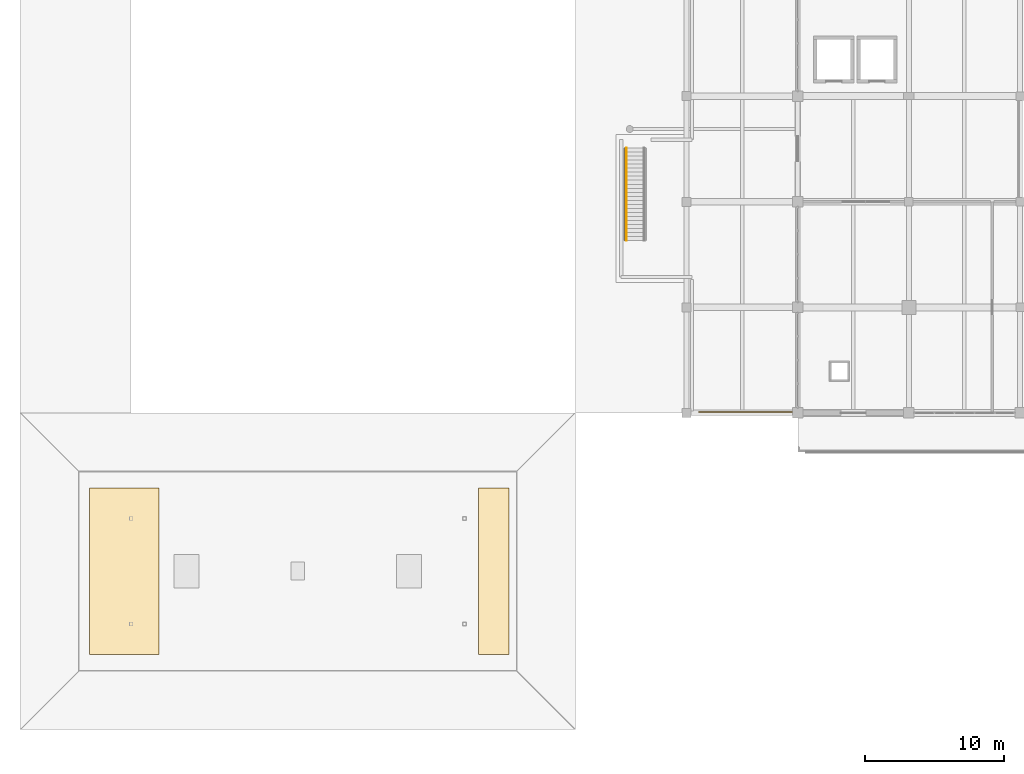
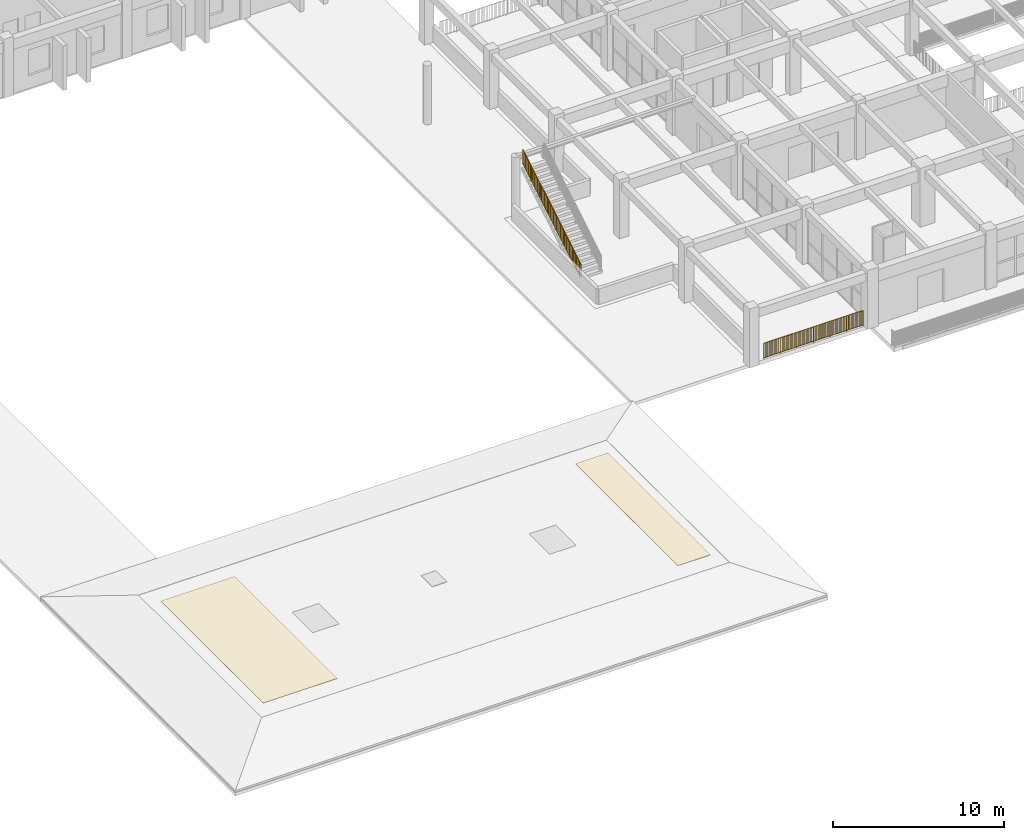
# One storey, part 50 of 63: 3 railings, 2 coverings.
"""IFC4 building model written with IfcOpenShell, lengths in metres."""

from ifc_helpers import new_model, si_unit, direction, frame, origin, origin_2d, place, context, subcontext, project, spatial, polyline, rectangle, circle, outline, extrude, material, layer, layer_set, type_object, element, save


model = new_model("IFC4")

# Units and contexts
model_context = context("Model", 3, precision=1e-05, world=origin(), true_north=direction((0.0, 1.0)))
body_context = subcontext(model_context, "Body", "Model", "MODEL_VIEW")
ifc_project = project(units=[si_unit("LENGTHUNIT", "METRE"), si_unit("AREAUNIT", "SQUARE_METRE"), si_unit("VOLUMEUNIT", "CUBIC_METRE"), si_unit("PLANEANGLEUNIT", "RADIAN"), si_unit("MASSUNIT", "GRAM", prefix="KILO")], contexts=[model_context])

# Site, building, storey
site_placement = place(None, origin())
site = spatial("IfcSite", under=ifc_project, at=site_placement, CompositionType="ELEMENT")
building_placement = place(site_placement, origin())
building = spatial("IfcBuilding", under=site, at=building_placement, Name="Zantavel Square City Hall", CompositionType="ELEMENT")
storey_placement = place(building_placement, frame((0.0, 0.0, 14.699951171875)))
storey = spatial("IfcBuildingStorey", under=building, at=storey_placement, Name="L04", CompositionType="ELEMENT", Elevation=14.699951171875)

# Railings
ifc_material_1 = material(Name="Steel ASTM A500 Grade B", Category="steel")
railing_type_1 = type_object("IfcRailingType", Name="Classical Stone & Steel Terrace Balustrade 1100mm", PredefinedType="BALUSTRADE", material=ifc_material_1)
railing_1_placement = place(storey_placement, frame((51.580078125, 42.800048828125, 0.175048828125)))
element("IfcRailing", 1, at=railing_1_placement, inside=storey, type_object=railing_type_1, Name="Outdoor Stair ST-TR5 Balustered Guard L", PredefinedType="BALUSTRADE", context=body_context, shape_type="SweptSolid", body=[
    extrude(circle(Radius=0.02392578125, at=origin_2d()), frame((0.0, 0.0, 1.076171875), z_axis=(0.0, 0.856190529329, 0.516660214733), x_axis=(-1.0, 0.0, 0.0)), (0.0, 0.0, 1.0), 7.790283203125),
    extrude(rectangle(XDim=0.031982421875, YDim=0.031982421875, at=origin_2d()), frame((0.0, 0.0, 0.080078125), z_axis=(0.0, 0.856190529329, 0.516660214733), x_axis=(-1.0, 0.0, 0.0)), (0.0, 0.0, 1.0), 7.790283203125),
    extrude(rectangle(XDim=0.02197265625, YDim=0.02197265625, at=origin_2d()), frame((0.0, 0.0888671875, 0.133544921875)), (0.0, 0.0, 1.0), 0.971923828125),
    extrude(rectangle(XDim=0.02197265625, YDim=0.02197265625, at=origin_2d()), frame((0.0, 0.177978515625, 0.187255859375)), (0.0, 0.0, 1.0), 0.971923828125),
    extrude(rectangle(XDim=0.02197265625, YDim=0.02197265625, at=origin_2d()), frame((0.0, 0.266845703125, 0.240966796875)), (0.0, 0.0, 1.0), 0.971923828125),
    extrude(rectangle(XDim=0.02197265625, YDim=0.02197265625, at=origin_2d()), frame((0.0, 0.355712890625, 0.294677734375)), (0.0, 0.0, 1.0), 0.971923828125),
    extrude(rectangle(XDim=0.02197265625, YDim=0.02197265625, at=origin_2d()), frame((0.0, 0.444580078125, 0.348388671875)), (0.0, 0.0, 1.0), 0.971923828125),
    extrude(rectangle(XDim=0.02197265625, YDim=0.02197265625, at=origin_2d()), frame((0.0, 0.53369140625, 0.402099609375)), (0.0, 0.0, 1.0), 0.971923828125),
    extrude(rectangle(XDim=0.02197265625, YDim=0.02197265625, at=origin_2d()), frame((0.0, 0.62255859375, 0.45556640625)), (0.0, 0.0, 1.0), 0.971923828125),
    extrude(rectangle(XDim=0.02197265625, YDim=0.02197265625, at=origin_2d()), frame((0.0, 0.71142578125, 0.50927734375)), (0.0, 0.0, 1.0), 0.971923828125),
    extrude(rectangle(XDim=0.02197265625, YDim=0.02197265625, at=origin_2d()), frame((0.0, 0.80029296875, 0.56298828125)), (0.0, 0.0, 1.0), 0.971923828125),
    extrude(rectangle(XDim=0.02197265625, YDim=0.02197265625, at=origin_2d()), frame((0.0, 0.889404296875, 0.61669921875)), (0.0, 0.0, 1.0), 0.971923828125),
    extrude(rectangle(XDim=0.02197265625, YDim=0.02197265625, at=origin_2d()), frame((0.0, 1.067138671875, 0.723876953125)), (0.0, 0.0, 1.0), 0.971923828125),
    extrude(rectangle(XDim=0.02197265625, YDim=0.02197265625, at=origin_2d()), frame((0.0, 1.156005859375, 0.777587890625)), (0.0, 0.0, 1.0), 0.971923828125),
    extrude(rectangle(XDim=0.02197265625, YDim=0.02197265625, at=origin_2d()), frame((0.0, 1.2451171875, 0.831298828125)), (0.0, 0.0, 1.0), 0.971923828125),
    extrude(rectangle(XDim=0.02197265625, YDim=0.02197265625, at=origin_2d()), frame((0.0, 1.333984375, 0.885009765625)), (0.0, 0.0, 1.0), 0.971923828125),
    extrude(rectangle(XDim=0.02197265625, YDim=0.02197265625, at=origin_2d()), frame((0.0, 1.4228515625, 0.938720703125)), (0.0, 0.0, 1.0), 0.971923828125),
    extrude(rectangle(XDim=0.02197265625, YDim=0.02197265625, at=origin_2d()), frame((0.0, 1.511962890625, 0.992431640625)), (0.0, 0.0, 1.0), 0.971923828125),
    extrude(rectangle(XDim=0.02197265625, YDim=0.02197265625, at=origin_2d()), frame((0.0, 1.600830078125, 1.0458984375)), (0.0, 0.0, 1.0), 0.971923828125),
    extrude(rectangle(XDim=0.02197265625, YDim=0.02197265625, at=origin_2d()), frame((0.0, 1.689697265625, 1.099609375)), (0.0, 0.0, 1.0), 0.971923828125),
    extrude(rectangle(XDim=0.02197265625, YDim=0.02197265625, at=origin_2d()), frame((0.0, 1.778564453125, 1.1533203125)), (0.0, 0.0, 1.0), 0.971923828125),
    extrude(rectangle(XDim=0.02197265625, YDim=0.02197265625, at=origin_2d()), frame((0.0, 1.95654296875, 1.2607421875)), (0.0, 0.0, 1.0), 0.971923828125),
    extrude(rectangle(XDim=0.02197265625, YDim=0.02197265625, at=origin_2d()), frame((0.0, 2.04541015625, 1.314208984375)), (0.0, 0.0, 1.0), 0.971923828125),
    extrude(rectangle(XDim=0.02197265625, YDim=0.02197265625, at=origin_2d()), frame((0.0, 2.13427734375, 1.367919921875)), (0.0, 0.0, 1.0), 0.971923828125),
    extrude(rectangle(XDim=0.02197265625, YDim=0.02197265625, at=origin_2d()), frame((0.0, 2.223388671875, 1.421630859375)), (0.0, 0.0, 1.0), 0.971923828125),
    extrude(rectangle(XDim=0.02197265625, YDim=0.02197265625, at=origin_2d()), frame((0.0, 2.312255859375, 1.475341796875)), (0.0, 0.0, 1.0), 0.971923828125),
    extrude(rectangle(XDim=0.02197265625, YDim=0.02197265625, at=origin_2d()), frame((0.0, 2.401123046875, 1.529052734375)), (0.0, 0.0, 1.0), 0.971923828125),
    extrude(rectangle(XDim=0.02197265625, YDim=0.02197265625, at=origin_2d()), frame((0.0, 2.489990234375, 1.58251953125)), (0.0, 0.0, 1.0), 0.971923828125),
    extrude(rectangle(XDim=0.02197265625, YDim=0.02197265625, at=origin_2d()), frame((0.0, 2.5791015625, 1.63623046875)), (0.0, 0.0, 1.0), 0.971923828125),
    extrude(rectangle(XDim=0.02197265625, YDim=0.02197265625, at=origin_2d()), frame((0.0, 2.66796875, 1.68994140625)), (0.0, 0.0, 1.0), 0.971923828125),
    extrude(rectangle(XDim=0.02197265625, YDim=0.02197265625, at=origin_2d()), frame((0.0, 2.7568359375, 1.74365234375)), (0.0, 0.0, 1.0), 0.971923828125),
    extrude(rectangle(XDim=0.02197265625, YDim=0.02197265625, at=origin_2d()), frame((0.0, 2.934814453125, 1.85107421875)), (0.0, 0.0, 1.0), 0.971923828125),
    extrude(rectangle(XDim=0.02197265625, YDim=0.02197265625, at=origin_2d()), frame((0.0, 3.023681640625, 1.904541015625)), (0.0, 0.0, 1.0), 0.971923828125),
    extrude(rectangle(XDim=0.02197265625, YDim=0.02197265625, at=origin_2d()), frame((0.0, 3.112548828125, 1.958251953125)), (0.0, 0.0, 1.0), 0.971923828125),
    extrude(rectangle(XDim=0.02197265625, YDim=0.02197265625, at=origin_2d()), frame((0.0, 3.20166015625, 2.011962890625)), (0.0, 0.0, 1.0), 0.971923828125),
    extrude(rectangle(XDim=0.02197265625, YDim=0.02197265625, at=origin_2d()), frame((0.0, 3.29052734375, 2.065673828125)), (0.0, 0.0, 1.0), 0.971923828125),
    extrude(rectangle(XDim=0.02197265625, YDim=0.02197265625, at=origin_2d()), frame((0.0, 3.37939453125, 2.119384765625)), (0.0, 0.0, 1.0), 0.971923828125),
    extrude(rectangle(XDim=0.02197265625, YDim=0.02197265625, at=origin_2d()), frame((0.0, 3.46826171875, 2.1728515625)), (0.0, 0.0, 1.0), 0.971923828125),
    extrude(rectangle(XDim=0.02197265625, YDim=0.02197265625, at=origin_2d()), frame((0.0, 3.557373046875, 2.2265625)), (0.0, 0.0, 1.0), 0.971923828125),
    extrude(rectangle(XDim=0.02197265625, YDim=0.02197265625, at=origin_2d()), frame((0.0, 3.646240234375, 2.2802734375)), (0.0, 0.0, 1.0), 0.971923828125),
    extrude(rectangle(XDim=0.02197265625, YDim=0.02197265625, at=origin_2d()), frame((0.0, 3.735107421875, 2.333984375)), (0.0, 0.0, 1.0), 0.971923828125),
    extrude(rectangle(XDim=0.02197265625, YDim=0.02197265625, at=origin_2d()), frame((0.0, 3.9130859375, 2.441162109375)), (0.0, 0.0, 1.0), 0.971923828125),
    extrude(rectangle(XDim=0.02197265625, YDim=0.02197265625, at=origin_2d()), frame((0.0, 4.001953125, 2.494873046875)), (0.0, 0.0, 1.0), 0.971923828125),
    extrude(rectangle(XDim=0.02197265625, YDim=0.02197265625, at=origin_2d()), frame((0.0, 4.0908203125, 2.548583984375)), (0.0, 0.0, 1.0), 0.971923828125),
    extrude(rectangle(XDim=0.02197265625, YDim=0.02197265625, at=origin_2d()), frame((0.0, 4.179931640625, 2.602294921875)), (0.0, 0.0, 1.0), 0.971923828125),
    extrude(rectangle(XDim=0.02197265625, YDim=0.02197265625, at=origin_2d()), frame((0.0, 4.268798828125, 2.656005859375)), (0.0, 0.0, 1.0), 0.971923828125),
    extrude(rectangle(XDim=0.02197265625, YDim=0.02197265625, at=origin_2d()), frame((0.0, 4.357666015625, 2.709716796875)), (0.0, 0.0, 1.0), 0.971923828125),
    extrude(rectangle(XDim=0.02197265625, YDim=0.02197265625, at=origin_2d()), frame((0.0, 4.446533203125, 2.76318359375)), (0.0, 0.0, 1.0), 0.971923828125),
    extrude(rectangle(XDim=0.02197265625, YDim=0.02197265625, at=origin_2d()), frame((0.0, 4.53564453125, 2.81689453125)), (0.0, 0.0, 1.0), 0.971923828125),
    extrude(rectangle(XDim=0.02197265625, YDim=0.02197265625, at=origin_2d()), frame((0.0, 4.62451171875, 2.87060546875)), (0.0, 0.0, 1.0), 0.971923828125),
    extrude(rectangle(XDim=0.02197265625, YDim=0.02197265625, at=origin_2d()), frame((0.0, 4.71337890625, 2.92431640625)), (0.0, 0.0, 1.0), 0.971923828125),
    extrude(rectangle(XDim=0.02197265625, YDim=0.02197265625, at=origin_2d()), frame((0.0, 4.891357421875, 3.031494140625)), (0.0, 0.0, 1.0), 0.971923828125),
    extrude(rectangle(XDim=0.02197265625, YDim=0.02197265625, at=origin_2d()), frame((0.0, 4.980224609375, 3.085205078125)), (0.0, 0.0, 1.0), 0.971923828125),
    extrude(rectangle(XDim=0.02197265625, YDim=0.02197265625, at=origin_2d()), frame((0.0, 5.069091796875, 3.138916015625)), (0.0, 0.0, 1.0), 0.971923828125),
    extrude(rectangle(XDim=0.02197265625, YDim=0.02197265625, at=origin_2d()), frame((0.0, 5.157958984375, 3.192626953125)), (0.0, 0.0, 1.0), 0.971923828125),
    extrude(rectangle(XDim=0.02197265625, YDim=0.02197265625, at=origin_2d()), frame((0.0, 5.2470703125, 3.246337890625)), (0.0, 0.0, 1.0), 0.971923828125),
    extrude(rectangle(XDim=0.02197265625, YDim=0.02197265625, at=origin_2d()), frame((0.0, 5.3359375, 3.2998046875)), (0.0, 0.0, 1.0), 0.971923828125),
    extrude(rectangle(XDim=0.02197265625, YDim=0.02197265625, at=origin_2d()), frame((0.0, 5.4248046875, 3.353515625)), (0.0, 0.0, 1.0), 0.971923828125),
    extrude(rectangle(XDim=0.02197265625, YDim=0.02197265625, at=origin_2d()), frame((0.0, 5.513916015625, 3.4072265625)), (0.0, 0.0, 1.0), 0.971923828125),
    extrude(rectangle(XDim=0.02197265625, YDim=0.02197265625, at=origin_2d()), frame((0.0, 5.602783203125, 3.4609375)), (0.0, 0.0, 1.0), 0.971923828125),
    extrude(rectangle(XDim=0.02197265625, YDim=0.02197265625, at=origin_2d()), frame((0.0, 5.780517578125, 3.568359375)), (0.0, 0.0, 1.0), 0.971923828125),
    extrude(rectangle(XDim=0.02197265625, YDim=0.02197265625, at=origin_2d()), frame((0.0, 5.86962890625, 3.621826171875)), (0.0, 0.0, 1.0), 0.971923828125),
    extrude(rectangle(XDim=0.02197265625, YDim=0.02197265625, at=origin_2d()), frame((0.0, 5.95849609375, 3.675537109375)), (0.0, 0.0, 1.0), 0.971923828125),
    extrude(rectangle(XDim=0.02197265625, YDim=0.02197265625, at=origin_2d()), frame((0.0, 6.04736328125, 3.729248046875)), (0.0, 0.0, 1.0), 0.971923828125),
    extrude(rectangle(XDim=0.02197265625, YDim=0.02197265625, at=origin_2d()), frame((0.0, 6.13623046875, 3.782958984375)), (0.0, 0.0, 1.0), 0.971923828125),
    extrude(rectangle(XDim=0.02197265625, YDim=0.02197265625, at=origin_2d()), frame((0.0, 6.225341796875, 3.836669921875)), (0.0, 0.0, 1.0), 0.971923828125),
    extrude(rectangle(XDim=0.02197265625, YDim=0.02197265625, at=origin_2d()), frame((0.0, 6.314208984375, 3.89013671875)), (0.0, 0.0, 1.0), 0.971923828125),
    extrude(rectangle(XDim=0.02197265625, YDim=0.02197265625, at=origin_2d()), frame((0.0, 6.403076171875, 3.94384765625)), (0.0, 0.0, 1.0), 0.971923828125),
    extrude(rectangle(XDim=0.02197265625, YDim=0.02197265625, at=origin_2d()), frame((0.0, 6.491943359375, 3.99755859375)), (0.0, 0.0, 1.0), 0.971923828125),
    extrude(rectangle(XDim=0.02197265625, YDim=0.02197265625, at=origin_2d()), frame((0.0, 6.5810546875, 4.05126953125)), (0.0, 0.0, 1.0), 0.971923828125),
    extrude(circle(Radius=0.02099609375, at=origin_2d()), origin(), (0.0, 0.0, 1.0), 1.052001953125),
    extrude(circle(Radius=0.02099609375, at=origin_2d()), frame((0.0, 0.952880859375, 0.574951171875)), (0.0, 0.0, 1.0), 1.052001953125),
    extrude(circle(Radius=0.02099609375, at=origin_2d()), frame((0.0, 1.90576171875, 1.14990234375)), (0.0, 0.0, 1.0), 1.052001953125),
    extrude(circle(Radius=0.02099609375, at=origin_2d()), frame((0.0, 2.858642578125, 1.724853515625)), (0.0, 0.0, 1.0), 1.052001953125),
    extrude(circle(Radius=0.02099609375, at=origin_2d()), frame((0.0, 3.811279296875, 2.300048828125)), (0.0, 0.0, 1.0), 1.052001953125),
    extrude(circle(Radius=0.02099609375, at=origin_2d()), frame((0.0, 4.76416015625, 2.875)), (0.0, 0.0, 1.0), 1.052001953125),
    extrude(circle(Radius=0.02099609375, at=origin_2d()), frame((0.0, 5.717041015625, 3.449951171875)), (0.0, 0.0, 1.0), 1.052001953125),
    extrude(circle(Radius=0.02099609375, at=origin_2d()), frame((0.0, 6.669921875, 4.02490234375)), (0.0, 0.0, 1.0), 1.052001953125),
])
railing_2_placement = place(storey_placement, frame((63.5849609375, 30.469970703125, 0.0)))
element("IfcRailing", 2, at=railing_2_placement, inside=storey, type_object=railing_type_1, Name="L04 Terrace Balustrade 031", PredefinedType="BALUSTRADE", context=body_context, shape_type="SweptSolid", body=[
    extrude(circle(Radius=0.02392578125, at=origin_2d()), frame((0.0, 0.0, 1.09619140625), z_axis=(-1.0, 0.0, 0.0), x_axis=(0.0, -1.0, 0.0)), (0.0, 0.0, 1.0), 6.70751953125),
    extrude(rectangle(XDim=0.031982421875, YDim=0.031982421875, at=origin_2d()), frame((0.0, 0.0, 0.080078125), z_axis=(-1.0, 0.0, 0.0), x_axis=(0.0, -1.0, 0.0)), (0.0, 0.0, 1.0), 6.70751953125),
    extrude(rectangle(XDim=0.02197265625, YDim=0.02197265625, at=origin_2d()), frame((-0.08935546875, 0.0, 0.080078125)), (0.0, 0.0, 1.0), 0.991943359375),
    extrude(rectangle(XDim=0.02197265625, YDim=0.02197265625, at=origin_2d()), frame((-0.178955078125, 0.0, 0.080078125)), (0.0, 0.0, 1.0), 0.991943359375),
    extrude(rectangle(XDim=0.02197265625, YDim=0.02197265625, at=origin_2d()), frame((-0.268310546875, 0.0, 0.080078125)), (0.0, 0.0, 1.0), 0.991943359375),
    extrude(rectangle(XDim=0.02197265625, YDim=0.02197265625, at=origin_2d()), frame((-0.357666015625, 0.0, 0.080078125)), (0.0, 0.0, 1.0), 0.991943359375),
    extrude(rectangle(XDim=0.02197265625, YDim=0.02197265625, at=origin_2d()), frame((-0.447265625, 0.0, 0.080078125)), (0.0, 0.0, 1.0), 0.991943359375),
    extrude(rectangle(XDim=0.02197265625, YDim=0.02197265625, at=origin_2d()), frame((-0.53662109375, 0.0, 0.080078125)), (0.0, 0.0, 1.0), 0.991943359375),
    extrude(rectangle(XDim=0.02197265625, YDim=0.02197265625, at=origin_2d()), frame((-0.6259765625, 0.0, 0.080078125)), (0.0, 0.0, 1.0), 0.991943359375),
    extrude(rectangle(XDim=0.02197265625, YDim=0.02197265625, at=origin_2d()), frame((-0.715576171875, 0.0, 0.080078125)), (0.0, 0.0, 1.0), 0.991943359375),
    extrude(rectangle(XDim=0.02197265625, YDim=0.02197265625, at=origin_2d()), frame((-0.804931640625, 0.0, 0.080078125)), (0.0, 0.0, 1.0), 0.991943359375),
    extrude(rectangle(XDim=0.02197265625, YDim=0.02197265625, at=origin_2d()), frame((-0.894287109375, 0.0, 0.080078125)), (0.0, 0.0, 1.0), 0.991943359375),
    extrude(rectangle(XDim=0.02197265625, YDim=0.02197265625, at=origin_2d()), frame((-0.98388671875, 0.0, 0.080078125)), (0.0, 0.0, 1.0), 0.991943359375),
    extrude(rectangle(XDim=0.02197265625, YDim=0.02197265625, at=origin_2d()), frame((-1.251953125, 0.0, 0.080078125)), (0.0, 0.0, 1.0), 0.991943359375),
    extrude(rectangle(XDim=0.02197265625, YDim=0.02197265625, at=origin_2d()), frame((-1.341552734375, 0.0, 0.080078125)), (0.0, 0.0, 1.0), 0.991943359375),
    extrude(rectangle(XDim=0.02197265625, YDim=0.02197265625, at=origin_2d()), frame((-1.430908203125, 0.0, 0.080078125)), (0.0, 0.0, 1.0), 0.991943359375),
    extrude(rectangle(XDim=0.02197265625, YDim=0.02197265625, at=origin_2d()), frame((-1.520263671875, 0.0, 0.080078125)), (0.0, 0.0, 1.0), 0.991943359375),
    extrude(rectangle(XDim=0.02197265625, YDim=0.02197265625, at=origin_2d()), frame((-1.60986328125, 0.0, 0.080078125)), (0.0, 0.0, 1.0), 0.991943359375),
    extrude(rectangle(XDim=0.02197265625, YDim=0.02197265625, at=origin_2d()), frame((-1.69921875, 0.0, 0.080078125)), (0.0, 0.0, 1.0), 0.991943359375),
    extrude(rectangle(XDim=0.02197265625, YDim=0.02197265625, at=origin_2d()), frame((-1.78857421875, 0.0, 0.080078125)), (0.0, 0.0, 1.0), 0.991943359375),
    extrude(rectangle(XDim=0.02197265625, YDim=0.02197265625, at=origin_2d()), frame((-1.878173828125, 0.0, 0.080078125)), (0.0, 0.0, 1.0), 0.991943359375),
    extrude(rectangle(XDim=0.02197265625, YDim=0.02197265625, at=origin_2d()), frame((-1.967529296875, 0.0, 0.080078125)), (0.0, 0.0, 1.0), 0.991943359375),
    extrude(rectangle(XDim=0.02197265625, YDim=0.02197265625, at=origin_2d()), frame((-2.056884765625, 0.0, 0.080078125)), (0.0, 0.0, 1.0), 0.991943359375),
    extrude(rectangle(XDim=0.02197265625, YDim=0.02197265625, at=origin_2d()), frame((-2.146484375, 0.0, 0.080078125)), (0.0, 0.0, 1.0), 0.991943359375),
    extrude(rectangle(XDim=0.02197265625, YDim=0.02197265625, at=origin_2d()), frame((-2.3251953125, 0.0, 0.080078125)), (0.0, 0.0, 1.0), 0.991943359375),
    extrude(rectangle(XDim=0.02197265625, YDim=0.02197265625, at=origin_2d()), frame((-2.414794921875, 0.0, 0.080078125)), (0.0, 0.0, 1.0), 0.991943359375),
    extrude(rectangle(XDim=0.02197265625, YDim=0.02197265625, at=origin_2d()), frame((-2.504150390625, 0.0, 0.080078125)), (0.0, 0.0, 1.0), 0.991943359375),
    extrude(rectangle(XDim=0.02197265625, YDim=0.02197265625, at=origin_2d()), frame((-2.593505859375, 0.0, 0.080078125)), (0.0, 0.0, 1.0), 0.991943359375),
    extrude(rectangle(XDim=0.02197265625, YDim=0.02197265625, at=origin_2d()), frame((-2.68310546875, 0.0, 0.080078125)), (0.0, 0.0, 1.0), 0.991943359375),
    extrude(rectangle(XDim=0.02197265625, YDim=0.02197265625, at=origin_2d()), frame((-2.7724609375, 0.0, 0.080078125)), (0.0, 0.0, 1.0), 0.991943359375),
    extrude(rectangle(XDim=0.02197265625, YDim=0.02197265625, at=origin_2d()), frame((-2.86181640625, 0.0, 0.080078125)), (0.0, 0.0, 1.0), 0.991943359375),
    extrude(rectangle(XDim=0.02197265625, YDim=0.02197265625, at=origin_2d()), frame((-2.951416015625, 0.0, 0.080078125)), (0.0, 0.0, 1.0), 0.991943359375),
    extrude(rectangle(XDim=0.02197265625, YDim=0.02197265625, at=origin_2d()), frame((-3.040771484375, 0.0, 0.080078125)), (0.0, 0.0, 1.0), 0.991943359375),
    extrude(rectangle(XDim=0.02197265625, YDim=0.02197265625, at=origin_2d()), frame((-3.130126953125, 0.0, 0.080078125)), (0.0, 0.0, 1.0), 0.991943359375),
    extrude(rectangle(XDim=0.02197265625, YDim=0.02197265625, at=origin_2d()), frame((-3.2197265625, 0.0, 0.080078125)), (0.0, 0.0, 1.0), 0.991943359375),
    extrude(rectangle(XDim=0.02197265625, YDim=0.02197265625, at=origin_2d()), frame((-3.48779296875, 0.0, 0.080078125)), (0.0, 0.0, 1.0), 0.991943359375),
    extrude(rectangle(XDim=0.02197265625, YDim=0.02197265625, at=origin_2d()), frame((-3.577392578125, 0.0, 0.080078125)), (0.0, 0.0, 1.0), 0.991943359375),
    extrude(rectangle(XDim=0.02197265625, YDim=0.02197265625, at=origin_2d()), frame((-3.666748046875, 0.0, 0.080078125)), (0.0, 0.0, 1.0), 0.991943359375),
    extrude(rectangle(XDim=0.02197265625, YDim=0.02197265625, at=origin_2d()), frame((-3.756103515625, 0.0, 0.080078125)), (0.0, 0.0, 1.0), 0.991943359375),
    extrude(rectangle(XDim=0.02197265625, YDim=0.02197265625, at=origin_2d()), frame((-3.845703125, 0.0, 0.080078125)), (0.0, 0.0, 1.0), 0.991943359375),
    extrude(rectangle(XDim=0.02197265625, YDim=0.02197265625, at=origin_2d()), frame((-3.93505859375, 0.0, 0.080078125)), (0.0, 0.0, 1.0), 0.991943359375),
    extrude(rectangle(XDim=0.02197265625, YDim=0.02197265625, at=origin_2d()), frame((-4.0244140625, 0.0, 0.080078125)), (0.0, 0.0, 1.0), 0.991943359375),
    extrude(rectangle(XDim=0.02197265625, YDim=0.02197265625, at=origin_2d()), frame((-4.114013671875, 0.0, 0.080078125)), (0.0, 0.0, 1.0), 0.991943359375),
    extrude(rectangle(XDim=0.02197265625, YDim=0.02197265625, at=origin_2d()), frame((-4.203369140625, 0.0, 0.080078125)), (0.0, 0.0, 1.0), 0.991943359375),
    extrude(rectangle(XDim=0.02197265625, YDim=0.02197265625, at=origin_2d()), frame((-4.292724609375, 0.0, 0.080078125)), (0.0, 0.0, 1.0), 0.991943359375),
    extrude(rectangle(XDim=0.02197265625, YDim=0.02197265625, at=origin_2d()), frame((-4.38232421875, 0.0, 0.080078125)), (0.0, 0.0, 1.0), 0.991943359375),
    extrude(rectangle(XDim=0.02197265625, YDim=0.02197265625, at=origin_2d()), frame((-4.56103515625, 0.0, 0.080078125)), (0.0, 0.0, 1.0), 0.991943359375),
    extrude(rectangle(XDim=0.02197265625, YDim=0.02197265625, at=origin_2d()), frame((-4.650634765625, 0.0, 0.080078125)), (0.0, 0.0, 1.0), 0.991943359375),
    extrude(rectangle(XDim=0.02197265625, YDim=0.02197265625, at=origin_2d()), frame((-4.739990234375, 0.0, 0.080078125)), (0.0, 0.0, 1.0), 0.991943359375),
    extrude(rectangle(XDim=0.02197265625, YDim=0.02197265625, at=origin_2d()), frame((-4.829345703125, 0.0, 0.080078125)), (0.0, 0.0, 1.0), 0.991943359375),
    extrude(rectangle(XDim=0.02197265625, YDim=0.02197265625, at=origin_2d()), frame((-4.9189453125, 0.0, 0.080078125)), (0.0, 0.0, 1.0), 0.991943359375),
    extrude(rectangle(XDim=0.02197265625, YDim=0.02197265625, at=origin_2d()), frame((-5.00830078125, 0.0, 0.080078125)), (0.0, 0.0, 1.0), 0.991943359375),
    extrude(rectangle(XDim=0.02197265625, YDim=0.02197265625, at=origin_2d()), frame((-5.09765625, 0.0, 0.080078125)), (0.0, 0.0, 1.0), 0.991943359375),
    extrude(rectangle(XDim=0.02197265625, YDim=0.02197265625, at=origin_2d()), frame((-5.187255859375, 0.0, 0.080078125)), (0.0, 0.0, 1.0), 0.991943359375),
    extrude(rectangle(XDim=0.02197265625, YDim=0.02197265625, at=origin_2d()), frame((-5.276611328125, 0.0, 0.080078125)), (0.0, 0.0, 1.0), 0.991943359375),
    extrude(rectangle(XDim=0.02197265625, YDim=0.02197265625, at=origin_2d()), frame((-5.365966796875, 0.0, 0.080078125)), (0.0, 0.0, 1.0), 0.991943359375),
    extrude(rectangle(XDim=0.02197265625, YDim=0.02197265625, at=origin_2d()), frame((-5.45556640625, 0.0, 0.080078125)), (0.0, 0.0, 1.0), 0.991943359375),
    extrude(rectangle(XDim=0.02197265625, YDim=0.02197265625, at=origin_2d()), frame((-5.7236328125, 0.0, 0.080078125)), (0.0, 0.0, 1.0), 0.991943359375),
    extrude(rectangle(XDim=0.02197265625, YDim=0.02197265625, at=origin_2d()), frame((-5.813232421875, 0.0, 0.080078125)), (0.0, 0.0, 1.0), 0.991943359375),
    extrude(rectangle(XDim=0.02197265625, YDim=0.02197265625, at=origin_2d()), frame((-5.902587890625, 0.0, 0.080078125)), (0.0, 0.0, 1.0), 0.991943359375),
    extrude(rectangle(XDim=0.02197265625, YDim=0.02197265625, at=origin_2d()), frame((-5.991943359375, 0.0, 0.080078125)), (0.0, 0.0, 1.0), 0.991943359375),
    extrude(rectangle(XDim=0.02197265625, YDim=0.02197265625, at=origin_2d()), frame((-6.08154296875, 0.0, 0.080078125)), (0.0, 0.0, 1.0), 0.991943359375),
    extrude(rectangle(XDim=0.02197265625, YDim=0.02197265625, at=origin_2d()), frame((-6.1708984375, 0.0, 0.080078125)), (0.0, 0.0, 1.0), 0.991943359375),
    extrude(rectangle(XDim=0.02197265625, YDim=0.02197265625, at=origin_2d()), frame((-6.26025390625, 0.0, 0.080078125)), (0.0, 0.0, 1.0), 0.991943359375),
    extrude(rectangle(XDim=0.02197265625, YDim=0.02197265625, at=origin_2d()), frame((-6.349853515625, 0.0, 0.080078125)), (0.0, 0.0, 1.0), 0.991943359375),
    extrude(rectangle(XDim=0.02197265625, YDim=0.02197265625, at=origin_2d()), frame((-6.439208984375, 0.0, 0.080078125)), (0.0, 0.0, 1.0), 0.991943359375),
    extrude(rectangle(XDim=0.02197265625, YDim=0.02197265625, at=origin_2d()), frame((-6.528564453125, 0.0, 0.080078125)), (0.0, 0.0, 1.0), 0.991943359375),
    extrude(rectangle(XDim=0.02197265625, YDim=0.02197265625, at=origin_2d()), frame((-6.6181640625, 0.0, 0.080078125)), (0.0, 0.0, 1.0), 0.991943359375),
    extrude(circle(Radius=0.02099609375, at=origin_2d()), origin(), (0.0, 0.0, 1.0), 1.072021484375),
    extrude(circle(Radius=0.02099609375, at=origin_2d()), frame((-1.117919921875, 0.0, 0.0)), (0.0, 0.0, 1.0), 1.072021484375),
    extrude(circle(Radius=0.02099609375, at=origin_2d()), frame((-2.23583984375, 0.0, 0.0)), (0.0, 0.0, 1.0), 1.072021484375),
    extrude(circle(Radius=0.02099609375, at=origin_2d()), frame((-3.353759765625, 0.0, 0.0)), (0.0, 0.0, 1.0), 1.072021484375),
    extrude(circle(Radius=0.02099609375, at=origin_2d()), frame((-4.4716796875, 0.0, 0.0)), (0.0, 0.0, 1.0), 1.072021484375),
    extrude(circle(Radius=0.02099609375, at=origin_2d()), frame((-5.589599609375, 0.0, 0.0)), (0.0, 0.0, 1.0), 1.072021484375),
    extrude(circle(Radius=0.02099609375, at=origin_2d()), frame((-6.70751953125, 0.0, 0.0)), (0.0, 0.0, 1.0), 1.072021484375),
])

# Coverings
ifc_material_2 = material(Name="Patinated copper-zinc standing seam", Category="aluminium")
ifc_layer = layer(ifc_material_2, 0.0400390625, Name="Patinated copper-zinc standing seam")
ifc_layer_set = layer_set([ifc_layer], Name="Patinated copper-zinc standing seam")
covering_type = type_object("IfcCoveringType", Name="Patinated Copper-Zinc Standing Seam Roofing 40mm", PredefinedType="ROOFING", material=ifc_layer_set)
covering_1_placement = place(storey_placement, frame((0.0, 0.0, 1.354248046875)))
element("IfcCovering", 3, at=covering_1_placement, inside=storey, type_object=covering_type, Name="L04 Copper-Zinc Standing Seam Roof Panel COV-CUZN-V3W", PredefinedType="ROOFING", context=body_context, shape_type="SweptSolid", body=[
    extrude(outline(polyline([(13.0, 13.0), (18.0, 13.0), (18.0, 25.0), (13.0, 25.0), (13.0, 13.0)])), origin(), (0.0, 0.0, 1.0), 0.0400390625),
])
covering_2_placement = place(storey_placement, frame((0.0, 0.0, 1.354248046875)))
element("IfcCovering", 4, at=covering_2_placement, inside=storey, type_object=covering_type, Name="L04 Copper-Zinc Standing Seam Roof Panel COV-CUZN-V3E", PredefinedType="ROOFING", context=body_context, shape_type="SweptSolid", body=[
    extrude(outline(polyline([(41.0, 13.0), (43.199951171875, 13.0), (43.199951171875, 25.0), (41.0, 25.0), (41.0, 13.0)])), origin(), (0.0, 0.0, 1.0), 0.0400390625),
])

# Railing
ifc_material_3 = material(Name="Stainless steel 316", Category="steel")
railing_type_2 = type_object("IfcRailingType", Name="Stair Stainless Steel Handrail 900mm", PredefinedType="HANDRAIL", material=ifc_material_3)
railing_3_placement = place(storey_placement, frame((51.66650390625, 42.800048828125, 0.175048828125)))
element("IfcRailing", 5, at=railing_3_placement, inside=storey, type_object=railing_type_2, Name="Outdoor Stair ST-TR5 Handrail L", PredefinedType="HANDRAIL", context=body_context, shape_type="SweptSolid", body=[
    extrude(circle(Radius=0.02392578125, at=origin_2d()), frame((0.0, 0.0, 0.8759765625), z_axis=(0.0, 0.856190529329, 0.516660214733), x_axis=(-1.0, 0.0, 0.0)), (0.0, 0.0, 1.0), 7.790283203125),
    extrude(circle(Radius=0.02099609375, at=origin_2d()), origin(), (0.0, 0.0, 1.0), 0.851806640625),
    extrude(circle(Radius=0.02099609375, at=origin_2d()), frame((0.0, 0.952880859375, 0.574951171875)), (0.0, 0.0, 1.0), 0.851806640625),
    extrude(circle(Radius=0.02099609375, at=origin_2d()), frame((0.0, 1.90576171875, 1.14990234375)), (0.0, 0.0, 1.0), 0.851806640625),
    extrude(circle(Radius=0.02099609375, at=origin_2d()), frame((0.0, 2.858642578125, 1.724853515625)), (0.0, 0.0, 1.0), 0.851806640625),
    extrude(circle(Radius=0.02099609375, at=origin_2d()), frame((0.0, 3.811279296875, 2.300048828125)), (0.0, 0.0, 1.0), 0.851806640625),
    extrude(circle(Radius=0.02099609375, at=origin_2d()), frame((0.0, 4.76416015625, 2.875)), (0.0, 0.0, 1.0), 0.851806640625),
    extrude(circle(Radius=0.02099609375, at=origin_2d()), frame((0.0, 5.717041015625, 3.449951171875)), (0.0, 0.0, 1.0), 0.851806640625),
    extrude(circle(Radius=0.02099609375, at=origin_2d()), frame((0.0, 6.669921875, 4.02490234375)), (0.0, 0.0, 1.0), 0.851806640625),
])

save(model, "model.ifc")
